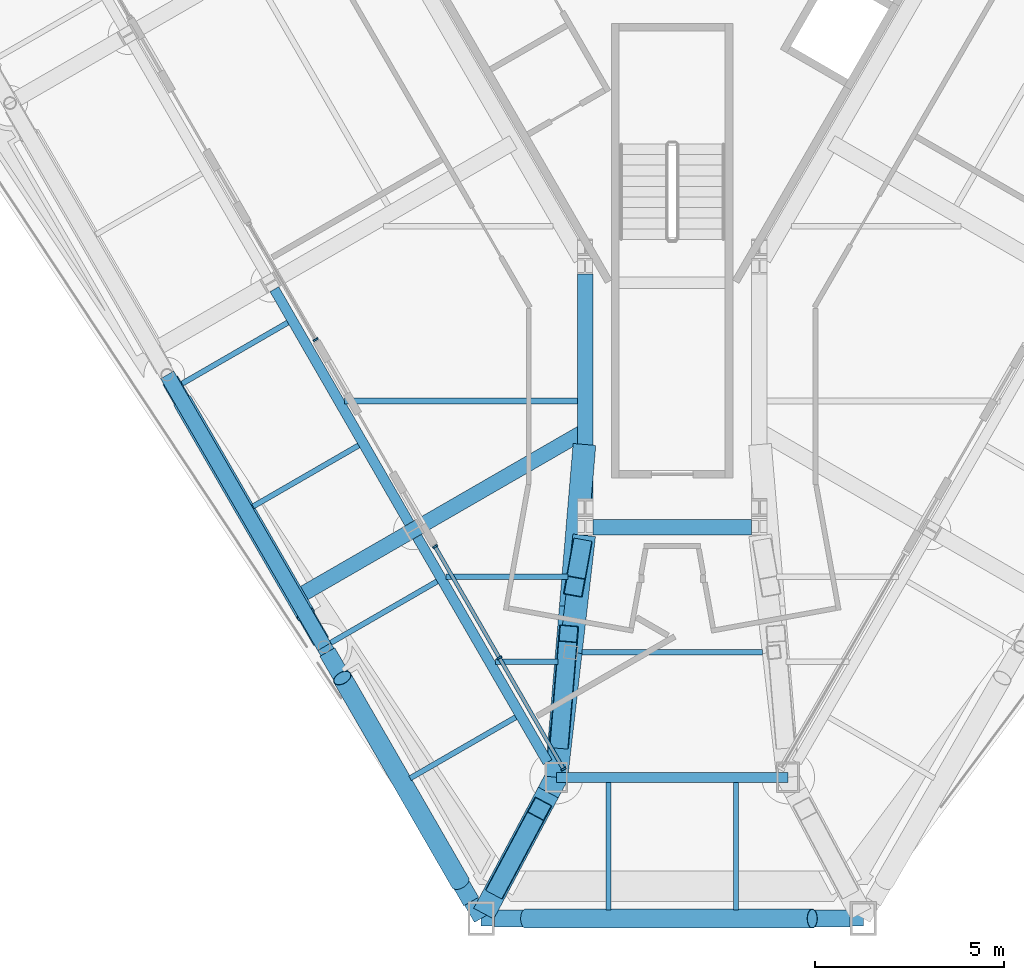
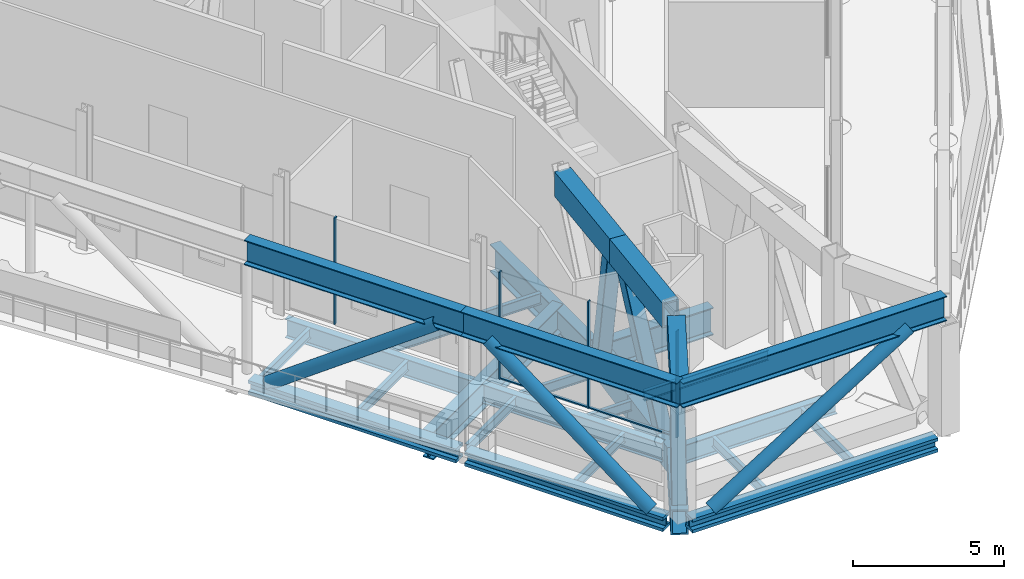
# One storey, part 5 of 25: 28 beams, 12 members, 2 elements without a shape of their own.
"""IFC4 building model written with IfcOpenShell, lengths in metres."""

from ifc_helpers import new_model, si_unit, direction, frame, origin, origin_2d, place, context, subcontext, project, spatial, rectangle, hollow_rectangle, hollow_circle, i_section, extrude, material, material_profile, profile_set, type_object, element, aggregate, save


model = new_model("IFC4")

# Units and contexts
model_context = context("Model", 3, precision=1e-05, world=origin(), true_north=direction((0.0, 1.0)))
body_context = subcontext(model_context, "Body", "Model", "MODEL_VIEW")
ifc_project = project(units=[si_unit("LENGTHUNIT", "METRE"), si_unit("AREAUNIT", "SQUARE_METRE"), si_unit("VOLUMEUNIT", "CUBIC_METRE"), si_unit("PLANEANGLEUNIT", "RADIAN"), si_unit("MASSUNIT", "GRAM", prefix="KILO")], contexts=[model_context])

# Site, building, storey
site_placement = place(None, origin())
site = spatial("IfcSite", under=ifc_project, at=site_placement, CompositionType="ELEMENT")
building_placement = place(site_placement, origin())
building = spatial("IfcBuilding", under=site, at=building_placement, Name="Verrane Prism Tower", CompositionType="ELEMENT")
storey_placement = place(building_placement, frame((0.0, 0.0, 143.199951171875)))
storey = spatial("IfcBuildingStorey", under=building, at=storey_placement, Name="L35", CompositionType="ELEMENT", Elevation=143.199951171875)

# Beams
ifc_material_1 = material(Name="Steel A992", Category="steel")
ifc_material_profile_1 = material_profile(ifc_material_1, i_section(OverallWidth=0.45458984375, OverallDepth=0.56884765625, WebThickness=0.077880859375, FlangeThickness=0.124755859375, FilletRadius=0.01513671875, at=origin_2d()), Name="W14x730")
ifc_profile_set_1 = profile_set([ifc_material_profile_1], Name="Steel A992")
beam_type_1 = type_object("IfcBeamType", Name="Belt truss chord W14x730", PredefinedType="BEAM", material=ifc_profile_set_1)
beam_1_placement = place(storey_placement, frame((-13.2587890625, -17.420654296875, -0.445556640625), z_axis=(0.50043226125, -0.865775693757, 0.0), x_axis=(0.865775693757, 0.50043226125, 0.0)))
element("IfcBeam", 1, at=beam_1_placement, inside=storey, type_object=beam_type_1, Name="Belt truss chord L35", PredefinedType="BEAM", context=body_context, shape_type="SweptSolid", body=[
    extrude(i_section(OverallWidth=0.45458984375, OverallDepth=0.56884765625, WebThickness=0.077880859375, FlangeThickness=0.124755859375, FilletRadius=0.01513671875, at=origin_2d()), origin(), (0.0, 0.0, 1.0), 7.96826171875),
])
beam_2_placement = place(storey_placement, frame((-9.10888671875, -24.600830078125, -0.445556640625), z_axis=(0.49951588352, -0.866304728205, 0.0), x_axis=(0.866304728205, 0.49951588352, 0.0)))
element("IfcBeam", 2, at=beam_2_placement, inside=storey, type_object=beam_type_1, Name="Belt truss chord L35", PredefinedType="BEAM", context=body_context, shape_type="SweptSolid", body=[
    extrude(i_section(OverallWidth=0.45458984375, OverallDepth=0.56884765625, WebThickness=0.077880859375, FlangeThickness=0.124755859375, FilletRadius=0.01513671875, at=origin_2d()), origin(), (0.0, 0.0, 1.0), 7.60595703125),
])
beam_3_placement = place(storey_placement, frame((-4.699951171875, -31.639892578125, -0.445556640625), z_axis=(1.0, 0.0, 0.0), x_axis=(0.0, 1.0, 0.0)))
element("IfcBeam", 3, at=beam_3_placement, inside=storey, type_object=beam_type_1, Name="Belt truss chord L35", PredefinedType="BEAM", context=body_context, shape_type="SweptSolid", body=[
    extrude(i_section(OverallWidth=0.45458984375, OverallDepth=0.56884765625, WebThickness=0.077880859375, FlangeThickness=0.124755859375, FilletRadius=0.01513671875, at=origin_2d()), origin(), (0.0, 0.0, 1.0), 9.39990234375),
])
ifc_material_2 = material(Name="Steel A992", Category="steel")
ifc_material_profile_2 = material_profile(ifc_material_2, i_section(OverallWidth=0.4013671875, OverallDepth=1.000732421875, WebThickness=0.01904296875, FlangeThickness=0.0361328125, FilletRadius=0.030029296875, at=origin_2d()), Name="W40x249")
ifc_profile_set_2 = profile_set([ifc_material_profile_2], Name="Steel A992")
beam_type_2 = type_object("IfcBeamType", Name="Belt truss chord W40x249", PredefinedType="BEAM", material=ifc_profile_set_2)
beam_4_placement = place(storey_placement, frame((-13.340087890625, -17.280029296875, 4.939697265625), z_axis=(0.500435030405, -0.865774093135, 0.0), x_axis=(0.865774093135, 0.500435030405, 0.0)))
element("IfcBeam", 4, at=beam_4_placement, inside=storey, type_object=beam_type_2, Name="Belt truss chord L35", PredefinedType="BEAM", context=body_context, shape_type="SweptSolid", body=[
    extrude(i_section(OverallWidth=0.4013671875, OverallDepth=1.000732421875, WebThickness=0.01904296875, FlangeThickness=0.0361328125, FilletRadius=0.030029296875, at=origin_2d()), origin(), (0.0, 0.0, 1.0), 8.29296875),
])
beam_5_placement = place(storey_placement, frame((-9.18994140625, -24.4599609375, 4.939697265625), z_axis=(0.499507376936, -0.866309633091, 0.0), x_axis=(0.866309633091, 0.499507376936, 0.0)))
element("IfcBeam", 5, at=beam_5_placement, inside=storey, type_object=beam_type_2, Name="Belt truss chord L35", PredefinedType="BEAM", context=body_context, shape_type="SweptSolid", body=[
    extrude(i_section(OverallWidth=0.4013671875, OverallDepth=1.000732421875, WebThickness=0.01904296875, FlangeThickness=0.0361328125, FilletRadius=0.030029296875, at=origin_2d()), origin(), (0.0, 0.0, 1.0), 8.287841796875),
])
beam_6_placement = place(storey_placement, frame((-5.050048828125, -31.639892578125, 4.939697265625), z_axis=(1.0, 0.0, 0.0), x_axis=(0.0, 1.0, 0.0)))
element("IfcBeam", 6, at=beam_6_placement, inside=storey, type_object=beam_type_2, Name="Belt truss chord L35", PredefinedType="BEAM", context=body_context, shape_type="SweptSolid", body=[
    extrude(i_section(OverallWidth=0.4013671875, OverallDepth=1.000732421875, WebThickness=0.01904296875, FlangeThickness=0.0361328125, FilletRadius=0.030029296875, at=origin_2d()), origin(), (0.0, 0.0, 1.0), 10.10009765625),
])

# Members
ifc_material_3 = material(Name="Steel A500 Grade C", Category="steel")
ifc_material_profile_3 = material_profile(ifc_material_3, hollow_circle(Radius=0.25390625, WallThickness=0.0126953125, at=origin_2d()), Name="HSS20.000x0.500")
ifc_profile_set_3 = profile_set([ifc_material_profile_3], Name="Steel A500 Grade C")
member_type_1 = type_object("IfcMemberType", Name="Belt truss diagonal HSS20.000x0.500", PredefinedType="BRACE", material=ifc_profile_set_3)
member_1_placement = place(storey_placement, frame((-3.868896484375, -31.639892578125, -0.160888671875), z_axis=(0.848987794326, 0.0, 0.528412457353), x_axis=(0.0, 1.0, 0.0)))
element("IfcMember", 7, at=member_1_placement, inside=storey, type_object=member_type_1, Name="Belt truss diagonal L35", PredefinedType="BRACE", context=body_context, shape_type="SweptSolid", body=[
    extrude(hollow_circle(Radius=0.25390625, WallThickness=0.0126953125, at=origin_2d()), origin(), (0.0, 0.0, 1.0), 8.913330078125),
])
member_2_placement = place(storey_placement, frame((-12.92529296875, -17.997314453125, -0.160888671875), z_axis=(0.404989270182, -0.700708769601, 0.587359269309), x_axis=(0.865792640311, 0.500402941621, 0.0)))
element("IfcMember", 8, at=member_2_placement, inside=storey, type_object=member_type_1, Name="Belt truss diagonal L35", PredefinedType="BRACE", context=body_context, shape_type="SweptSolid", body=[
    extrude(hollow_circle(Radius=0.25390625, WallThickness=0.0126953125, at=origin_2d()), origin(), (0.0, 0.0, 1.0), 8.018798828125),
])
member_3_placement = place(storey_placement, frame((-5.599609375, -30.6865234375, -0.160888671875), z_axis=(-0.398552898475, 0.69121040119, 0.602813211869), x_axis=(-0.866306176798, -0.499513371234, 0.0)))
element("IfcMember", 9, at=member_3_placement, inside=storey, type_object=member_type_1, Name="Belt truss diagonal L35", PredefinedType="BRACE", context=body_context, shape_type="SweptSolid", body=[
    extrude(hollow_circle(Radius=0.25390625, WallThickness=0.0126953125, at=origin_2d()), origin(), (0.0, 0.0, 1.0), 7.813232421875),
])

# Beams
ifc_material_4 = material(Name="Steel A992", Category="steel")
ifc_material_profile_4 = material_profile(ifc_material_4, i_section(OverallWidth=0.2666015625, OverallDepth=0.76708984375, WebThickness=0.014892578125, FlangeThickness=0.023681640625, FilletRadius=0.0166015625, at=origin_2d()), Name="W30x124")
ifc_profile_set_4 = profile_set([ifc_material_profile_4], Name="Steel A992")
beam_type_3 = type_object("IfcBeamType", Name="Chamfer spandrel beam W30x124", PredefinedType="SPANDREL", material=ifc_profile_set_4)
beam_7_placement = place(storey_placement, frame((-3.06005859375, -27.909912109375, -0.54345703125), z_axis=(1.0, 0.0, 0.0), x_axis=(0.0, 1.0, 0.0)))
element("IfcBeam", 10, at=beam_7_placement, inside=storey, type_object=beam_type_3, Name="Chamfer spandrel beam L35", PredefinedType="SPANDREL", context=body_context, shape_type="SweptSolid", body=[
    extrude(i_section(OverallWidth=0.2666015625, OverallDepth=0.76708984375, WebThickness=0.014892578125, FlangeThickness=0.023681640625, FilletRadius=0.0166015625, at=origin_2d()), origin(), (0.0, 0.0, 1.0), 6.1201171875),
])
ifc_material_5 = material(Name="Steel A992", Category="steel")
ifc_material_profile_5 = material_profile(ifc_material_5, i_section(OverallWidth=0.140380859375, OverallDepth=0.40380859375, WebThickness=0.007080078125, FlangeThickness=0.01123046875, FilletRadius=0.01025390625, at=origin_2d()), Name="W16x31")
ifc_profile_set_5 = profile_set([ifc_material_profile_5], Name="Steel A992")
beam_type_4 = type_object("IfcBeamType", Name="Floor beam W16x31", PredefinedType="BEAM", material=ifc_profile_set_5)
beam_8_placement = place(storey_placement, frame((-6.924072265625, -27.9345703125, -0.36181640625), z_axis=(0.866020340389, 0.500008769956, 0.0), x_axis=(-0.500008769956, 0.866020340389, 0.0)))
element("IfcBeam", 11, at=beam_8_placement, inside=storey, type_object=beam_type_4, Name="Floor beam L35", PredefinedType="BEAM", context=body_context, shape_type="SweptSolid", body=[
    extrude(i_section(OverallWidth=0.140380859375, OverallDepth=0.40380859375, WebThickness=0.007080078125, FlangeThickness=0.01123046875, FilletRadius=0.01025390625, at=origin_2d()), origin(), (0.0, 0.0, 1.0), 3.22314453125),
])
beam_9_placement = place(storey_placement, frame((-9.018310546875, -24.356201171875, -0.36181640625), z_axis=(0.866033884568, 0.499985310564, 0.0), x_axis=(-0.499985310564, 0.866033884568, 0.0)))
element("IfcBeam", 12, at=beam_9_placement, inside=storey, type_object=beam_type_4, Name="Floor beam L35", PredefinedType="BEAM", context=body_context, shape_type="SweptSolid", body=[
    extrude(i_section(OverallWidth=0.140380859375, OverallDepth=0.40380859375, WebThickness=0.007080078125, FlangeThickness=0.01123046875, FilletRadius=0.01025390625, at=origin_2d()), origin(), (0.0, 0.0, 1.0), 3.24267578125),
])
beam_10_placement = place(storey_placement, frame((-11.069580078125, -20.75341796875, -0.36181640625), z_axis=(0.865988473761, 0.500063959222, 0.0), x_axis=(-0.500063959222, 0.865988473761, 0.0)))
element("IfcBeam", 13, at=beam_10_placement, inside=storey, type_object=beam_type_4, Name="Floor beam L35", PredefinedType="BEAM", context=body_context, shape_type="SweptSolid", body=[
    extrude(i_section(OverallWidth=0.140380859375, OverallDepth=0.40380859375, WebThickness=0.007080078125, FlangeThickness=0.01123046875, FilletRadius=0.01025390625, at=origin_2d()), origin(), (0.0, 0.0, 1.0), 3.2177734375),
])
beam_11_placement = place(storey_placement, frame((-12.9443359375, -17.510009765625, -0.36181640625), z_axis=(0.866029130051, 0.499993545862, 0.0), x_axis=(-0.499993545862, 0.866029130051, 0.0)))
element("IfcBeam", 14, at=beam_11_placement, inside=storey, type_object=beam_type_4, Name="Floor beam L35", PredefinedType="BEAM", context=body_context, shape_type="SweptSolid", body=[
    extrude(i_section(OverallWidth=0.140380859375, OverallDepth=0.40380859375, WebThickness=0.007080078125, FlangeThickness=0.01123046875, FilletRadius=0.01025390625, at=origin_2d()), origin(), (0.0, 0.0, 1.0), 3.22216796875),
])
beam_12_placement = place(storey_placement, frame((-4.67138671875, -24.860107421875, -0.36181640625), z_axis=(1.0, 0.0, 0.0), x_axis=(0.0, 1.0, 0.0)))
element("IfcBeam", 15, at=beam_12_placement, inside=storey, type_object=beam_type_4, Name="Floor beam L35", PredefinedType="BEAM", context=body_context, shape_type="SweptSolid", body=[
    extrude(i_section(OverallWidth=0.140380859375, OverallDepth=0.40380859375, WebThickness=0.007080078125, FlangeThickness=0.01123046875, FilletRadius=0.01025390625, at=origin_2d()), origin(), (0.0, 0.0, 1.0), 1.66015625),
])
beam_13_placement = place(storey_placement, frame((-5.9736328125, -22.610107421875, -0.36181640625), z_axis=(1.0, 0.0, 0.0), x_axis=(0.0, 1.0, 0.0)))
element("IfcBeam", 16, at=beam_13_placement, inside=storey, type_object=beam_type_4, Name="Floor beam L35", PredefinedType="BEAM", context=body_context, shape_type="SweptSolid", body=[
    extrude(i_section(OverallWidth=0.140380859375, OverallDepth=0.40380859375, WebThickness=0.007080078125, FlangeThickness=0.01123046875, FilletRadius=0.01025390625, at=origin_2d()), origin(), (0.0, 0.0, 1.0), 3.220947265625),
])
for number, where, z_axis, x_axis, name in (
    (17, (1.683349609375, -31.41259765625, -0.36181640625), (0.0, 1.0, 0.0), (-1.0, 0.0, 0.0), "Floor beam L35"),
    (18, (-1.683349609375, -31.41259765625, -0.36181640625), (0.0, 1.0, 0.0), (-1.0, 0.0, 0.0), "Floor beam L35"),
):
    element("IfcBeam", number, at=place(storey_placement, frame(where, z_axis=z_axis, x_axis=x_axis)), inside=storey, type_object=beam_type_4, Name=name, PredefinedType="BEAM", context=body_context, shape_type="SweptSolid", body=[
        extrude(i_section(OverallWidth=0.140380859375, OverallDepth=0.40380859375, WebThickness=0.007080078125, FlangeThickness=0.01123046875, FilletRadius=0.01025390625, at=origin_2d()), origin(), (0.0, 0.0, 1.0), 3.369140625),
    ])
beam_14_placement = place(storey_placement, frame((-2.3779296875, -24.60498046875, -0.36181640625), z_axis=(1.0, 0.0, 0.0), x_axis=(0.0, 1.0, 0.0)))
element("IfcBeam", 19, at=beam_14_placement, inside=storey, type_object=beam_type_4, Name="Floor beam L35", PredefinedType="BEAM", context=body_context, shape_type="SweptSolid", body=[
    extrude(i_section(OverallWidth=0.140380859375, OverallDepth=0.40380859375, WebThickness=0.007080078125, FlangeThickness=0.01123046875, FilletRadius=0.01025390625, at=origin_2d()), origin(), (0.0, 0.0, 1.0), 4.755859375),
])
ifc_material_6 = material(Name="Steel A992", Category="steel")
ifc_material_profile_6 = material_profile(ifc_material_6, i_section(OverallWidth=0.15234375, OverallDepth=0.449462890625, WebThickness=0.007568359375, FlangeThickness=0.0107421875, FilletRadius=0.01025390625, at=origin_2d()), Name="W18x35")
ifc_profile_set_6 = profile_set([ifc_material_profile_6], Name="Steel A992")
beam_type_5 = type_object("IfcBeamType", Name="Floor beam W18x35", PredefinedType="BEAM", material=ifc_profile_set_6)
beam_15_placement = place(storey_placement, frame((-8.653564453125, -17.966796875, -0.384765625), z_axis=(1.0, 0.0, 0.0), x_axis=(0.0, 1.0, 0.0)))
element("IfcBeam", 20, at=beam_15_placement, inside=storey, type_object=beam_type_5, Name="Floor beam L35", PredefinedType="BEAM", context=body_context, shape_type="SweptSolid", body=[
    extrude(i_section(OverallWidth=0.15234375, OverallDepth=0.449462890625, WebThickness=0.007568359375, FlangeThickness=0.0107421875, FilletRadius=0.01025390625, at=origin_2d()), origin(), (0.0, 0.0, 1.0), 6.151611328125),
])

# Curtain wall, member
ifc_material_7 = material(Name="Aluminium framed insulated glazing", Category="aluminium")
curtain_wall_type = type_object("IfcCurtainWallType", Name="Curtain wall CW-C 4200 module", PredefinedType="NOTDEFINED", material=ifc_material_7)
curtain_wall_1_placement = place(storey_placement, origin())
curtain_wall_1 = element("IfcCurtainWall", 21, at=curtain_wall_1_placement, inside=storey, type_object=curtain_wall_type, Name="Refuge lounge glazing south-west face L35 3", PredefinedType="NOTDEFINED")
ifc_material_8 = material(Name="Aluminium alloy 6063-T6", Category="aluminium")
ifc_material_profile_7 = material_profile(ifc_material_8, rectangle(XDim=0.139892578125, YDim=0.050048828125, at=origin_2d()), Name="Mullion 50x140 aluminium")
ifc_profile_set_7 = profile_set([ifc_material_profile_7], Name="Aluminium alloy 6063-T6")
member_type_2 = type_object("IfcMemberType", Name="Mullion 50x140 aluminium", PredefinedType="MULLION", material=ifc_profile_set_7)
member_4_placement = place(storey_placement, frame((-9.41845703125, -16.3486328125, 0.0), z_axis=(0.0, 0.0, 1.0), x_axis=(0.86603091481, 0.499990454503, 0.0)))
member_4 = element("IfcMember", 22, at=member_4_placement, type_object=member_type_2, Name="CW35.4.3 mullion 2", PredefinedType="MULLION", context=body_context, shape_type="SweptSolid", body=[
    extrude(rectangle(XDim=0.139892578125, YDim=0.050048828125, at=origin_2d()), origin(), (0.0, 0.0, 1.0), 4.322509765625),
])
aggregate(curtain_wall_1, [member_4])

# Curtain wall, members
curtain_wall_2_placement = place(storey_placement, origin())
curtain_wall_2 = element("IfcCurtainWall", 23, at=curtain_wall_2_placement, inside=storey, type_object=curtain_wall_type, Name="Refuge lounge glazing south-west face L35 4", PredefinedType="NOTDEFINED")
member_5_placement = place(storey_placement, frame((-6.263427734375, -21.813232421875, 0.0), z_axis=(0.0, 0.0, 1.0), x_axis=(0.866027244743, 0.499996811352, 0.0)))
member_5 = element("IfcMember", 24, at=member_5_placement, type_object=member_type_2, Name="CW35.4.4 mullion 1", PredefinedType="MULLION", context=body_context, shape_type="SweptSolid", body=[
    extrude(rectangle(XDim=0.139892578125, YDim=0.050048828125, at=origin_2d()), origin(), (0.0, 0.0, 1.0), 4.322509765625),
])
member_6_placement = place(storey_placement, frame((-4.56689453125, -24.751708984375, 0.0), z_axis=(0.0, 0.0, 1.0), x_axis=(0.866027244743, 0.499996811352, 0.0)))
member_6 = element("IfcMember", 25, at=member_6_placement, type_object=member_type_2, Name="CW35.4.4 mullion 2", PredefinedType="MULLION", context=body_context, shape_type="SweptSolid", body=[
    extrude(rectangle(XDim=0.139892578125, YDim=0.050048828125, at=origin_2d()), origin(), (0.0, 0.0, 1.0), 4.322509765625),
])
member_7_placement = place(storey_placement, frame((-2.870361328125, -27.690185546875, 0.0), z_axis=(0.0, 0.0, 1.0), x_axis=(0.866027244743, 0.499996811352, 0.0)))
member_7 = element("IfcMember", 26, at=member_7_placement, type_object=member_type_2, Name="CW35.4.4 mullion 3", PredefinedType="MULLION", context=body_context, shape_type="SweptSolid", body=[
    extrude(rectangle(XDim=0.139892578125, YDim=0.050048828125, at=origin_2d()), origin(), (0.0, 0.0, 1.0), 4.322509765625),
])

# Beams
ifc_material_9 = material(Name="Steel A572 Grade 50", Category="steel")
ifc_material_profile_8 = material_profile(ifc_material_9, hollow_rectangle(XDim=0.60009765625, YDim=1.0, WallThickness=0.06005859375, at=origin_2d()), Name="BOX 1000x600x60")
ifc_profile_set_8 = profile_set([ifc_material_profile_8], Name="Steel A572 Grade 50")
beam_type_6 = type_object("IfcBeamType", Name="Outrigger truss chord BOX 1000x600x60", PredefinedType="BEAM", material=ifc_profile_set_8)
beam_16_placement = place(storey_placement, frame((-4.809814453125, -31.18994140625, -0.659912109375), z_axis=(0.470673448035, 0.882307489096, 0.0), x_axis=(-0.882307489096, 0.470673448035, 0.0)))
element("IfcBeam", 27, at=beam_16_placement, inside=storey, type_object=beam_type_6, Name="Outrigger truss chord L35", PredefinedType="BEAM", context=body_context, shape_type="SweptSolid", body=[
    extrude(hollow_rectangle(XDim=0.60009765625, YDim=1.0, WallThickness=0.06005859375, at=origin_2d()), origin(), (0.0, 0.0, 1.0), 3.717529296875),
])
beam_17_placement = place(storey_placement, frame((-3.06005859375, -27.909912109375, -0.659912109375), z_axis=(0.11426476822, 0.993450332298, 0.0), x_axis=(-0.993450332298, 0.11426476822, 0.0)))
element("IfcBeam", 28, at=beam_17_placement, inside=storey, type_object=beam_type_6, Name="Outrigger truss chord L35", PredefinedType="BEAM", context=body_context, shape_type="SweptSolid", body=[
    extrude(hollow_rectangle(XDim=0.60009765625, YDim=1.0, WallThickness=0.06005859375, at=origin_2d()), origin(), (0.0, 0.0, 1.0), 3.32666015625),
])
beam_18_placement = place(storey_placement, frame((-2.679931640625, -24.60498046875, -0.659912109375), z_axis=(0.114206711719, 0.993457008128, 0.0), x_axis=(-0.993457008128, 0.114206711719, 0.0)))
element("IfcBeam", 29, at=beam_18_placement, inside=storey, type_object=beam_type_6, Name="Outrigger truss chord L35", PredefinedType="BEAM", context=body_context, shape_type="SweptSolid", body=[
    extrude(hollow_rectangle(XDim=0.60009765625, YDim=1.0, WallThickness=0.06005859375, at=origin_2d()), origin(), (0.0, 0.0, 1.0), 3.108154296875),
])
beam_19_placement = place(storey_placement, frame((-4.9794921875, -31.5078125, 4.93994140625), z_axis=(0.470714094128, 0.882285804935, 0.0), x_axis=(-0.882285804935, 0.470714094128, 0.0)))
element("IfcBeam", 30, at=beam_19_placement, inside=storey, type_object=beam_type_6, Name="Outrigger truss chord L35", PredefinedType="BEAM", context=body_context, shape_type="SweptSolid", body=[
    extrude(hollow_rectangle(XDim=0.60009765625, YDim=1.0, WallThickness=0.06005859375, at=origin_2d()), origin(), (0.0, 0.0, 1.0), 3.62451171875),
])
beam_20_placement = place(storey_placement, frame((-3.0263671875, -27.510009765625, 4.93994140625), z_axis=(0.084095012133, 0.996457740667, 0.0), x_axis=(-0.996457740667, 0.084095012133, 0.0)))
element("IfcBeam", 31, at=beam_20_placement, inside=storey, type_object=beam_type_6, Name="Outrigger truss chord L35", PredefinedType="BEAM", context=body_context, shape_type="SweptSolid", body=[
    extrude(hollow_rectangle(XDim=0.60009765625, YDim=1.0, WallThickness=0.06005859375, at=origin_2d()), origin(), (0.0, 0.0, 1.0), 4.11962890625),
])
beam_21_placement = place(storey_placement, frame((-2.679931640625, -23.405029296875, 4.93994140625), z_axis=(0.084026785736, 0.99646349621, 0.0), x_axis=(-0.99646349621, 0.084026785736, 0.0)))
element("IfcBeam", 32, at=beam_21_placement, inside=storey, type_object=beam_type_6, Name="Outrigger truss chord L35", PredefinedType="BEAM", context=body_context, shape_type="SweptSolid", body=[
    extrude(hollow_rectangle(XDim=0.60009765625, YDim=1.0, WallThickness=0.06005859375, at=origin_2d()), origin(), (0.0, 0.0, 1.0), 4.302978515625),
])

# Members
ifc_material_10 = material(Name="Steel A500 Grade C", Category="steel")
ifc_material_profile_9 = material_profile(ifc_material_10, hollow_rectangle(XDim=0.508056640625, YDim=0.508056640625, WallThickness=0.01904296875, InnerFilletRadius=0.009521484375, OuterFilletRadius=0.028564453125, at=origin_2d()), Name="HSS20x20x3/4")
ifc_profile_set_9 = profile_set([ifc_material_profile_9], Name="Steel A500 Grade C")
member_type_3 = type_object("IfcMemberType", Name="Outrigger truss diagonal HSS20x20x3/4", PredefinedType="BRACE", material=ifc_profile_set_9)
member_8_placement = place(storey_placement, frame((-4.6064453125, -30.80859375, -0.219970703125), z_axis=(0.20927781251, 0.39228586197, 0.895720157018), x_axis=(-0.882298128759, 0.470690994166, 0.0)))
element("IfcMember", 33, at=member_8_placement, inside=storey, type_object=member_type_3, Name="Outrigger truss diagonal L35", PredefinedType="BRACE", context=body_context, shape_type="SweptSolid", body=[
    extrude(hollow_rectangle(XDim=0.508056640625, YDim=0.508056640625, WallThickness=0.01904296875, InnerFilletRadius=0.009521484375, OuterFilletRadius=0.028564453125, at=origin_2d()), origin(), (0.0, 0.0, 1.0), 5.26953125),
])
member_9_placement = place(storey_placement, frame((-2.97705078125, -26.9267578125, -0.219970703125), z_axis=(0.043117594969, 0.511016769216, 0.858488633928), x_axis=(-0.996459232764, 0.084077330119, 0.0)))
element("IfcMember", 34, at=member_9_placement, inside=storey, type_object=member_type_3, Name="Outrigger truss diagonal L35", PredefinedType="BRACE", context=body_context, shape_type="SweptSolid", body=[
    extrude(hollow_rectangle(XDim=0.508056640625, YDim=0.508056640625, WallThickness=0.01904296875, InnerFilletRadius=0.009521484375, OuterFilletRadius=0.028564453125, at=origin_2d()), origin(), (0.0, 0.0, 1.0), 5.498046875),
])
member_10_placement = place(storey_placement, frame((-2.404052734375, -21.875732421875, -0.219970703125), z_axis=(-0.037078020775, -0.205573091989, 0.97793912092), x_axis=(0.98412077701, -0.177500130302, 0.0)))
element("IfcMember", 35, at=member_10_placement, inside=storey, type_object=member_type_3, Name="Outrigger truss diagonal L35", PredefinedType="BRACE", context=body_context, shape_type="SweptSolid", body=[
    extrude(hollow_rectangle(XDim=0.508056640625, YDim=0.508056640625, WallThickness=0.01904296875, InnerFilletRadius=0.009521484375, OuterFilletRadius=0.028564453125, at=origin_2d()), origin(), (0.0, 0.0, 1.0), 4.826416015625),
])

# Beams
ifc_material_11 = material(Name="Steel A992", Category="steel")
ifc_material_profile_10 = material_profile(ifc_material_11, i_section(OverallWidth=0.2666015625, OverallDepth=0.7568359375, WebThickness=0.013916015625, FlangeThickness=0.019287109375, FilletRadius=0.0166015625, at=origin_2d()), Name="W30x108")
ifc_profile_set_10 = profile_set([ifc_material_profile_10], Name="Steel A992")
beam_type_7 = type_object("IfcBeamType", Name="Spandrel beam W30x108", PredefinedType="SPANDREL", material=ifc_profile_set_10)
beam_22_placement = place(storey_placement, frame((-10.50732421875, -15.018310546875, -0.538330078125), z_axis=(0.499432230493, -0.866352957601, 0.0), x_axis=(0.866352957601, 0.499432230493, 0.0)))
element("IfcBeam", 36, at=beam_22_placement, inside=storey, type_object=beam_type_7, Name="Spandrel beam L35", PredefinedType="SPANDREL", context=body_context, shape_type="SweptSolid", body=[
    extrude(i_section(OverallWidth=0.2666015625, OverallDepth=0.7568359375, WebThickness=0.013916015625, FlangeThickness=0.019287109375, FilletRadius=0.0166015625, at=origin_2d()), origin(), (0.0, 0.0, 1.0), 7.137451171875),
])
beam_23_placement = place(storey_placement, frame((-6.73681640625, -21.55810546875, -0.538330078125), z_axis=(0.500978894628, -0.865459500576, 0.0), x_axis=(0.865459500576, 0.500978894628, 0.0)))
element("IfcBeam", 37, at=beam_23_placement, inside=storey, type_object=beam_type_7, Name="Spandrel beam L35", PredefinedType="SPANDREL", context=body_context, shape_type="SweptSolid", body=[
    extrude(i_section(OverallWidth=0.2666015625, OverallDepth=0.7568359375, WebThickness=0.013916015625, FlangeThickness=0.019287109375, FilletRadius=0.0166015625, at=origin_2d()), origin(), (0.0, 0.0, 1.0), 6.877197265625),
])
ifc_material_12 = material(Name="Steel A992", Category="steel")
ifc_material_profile_11 = material_profile(ifc_material_12, i_section(OverallWidth=0.40380859375, OverallDepth=1.11767578125, WebThickness=0.026123046875, FlangeThickness=0.044921875, FilletRadius=0.02001953125, at=origin_2d()), Name="W44x335")
ifc_profile_set_11 = profile_set([ifc_material_profile_11], Name="Steel A992")
beam_type_8 = type_object("IfcBeamType", Name="Transfer girder W44x335", PredefinedType="BEAM", material=ifc_profile_set_11)
beam_24_placement = place(storey_placement, frame((-2.300048828125, -14.619384765625, -0.808837890625), z_axis=(0.0, -1.0, 0.0), x_axis=(1.0, 0.0, 0.0)))
element("IfcBeam", 38, at=beam_24_placement, inside=storey, type_object=beam_type_8, Name="Transfer girder L35", PredefinedType="BEAM", context=body_context, shape_type="SweptSolid", body=[
    extrude(i_section(OverallWidth=0.40380859375, OverallDepth=1.11767578125, WebThickness=0.026123046875, FlangeThickness=0.044921875, FilletRadius=0.02001953125, at=origin_2d()), origin(), (0.0, 0.0, 1.0), 6.46337890625),
])
beam_25_placement = place(storey_placement, frame((-2.09423828125, -21.300048828125, -0.808837890625), z_axis=(1.0, 0.0, 0.0), x_axis=(0.0, 1.0, 0.0)))
element("IfcBeam", 39, at=beam_25_placement, inside=storey, type_object=beam_type_8, Name="Transfer girder L35", PredefinedType="BEAM", context=body_context, shape_type="SweptSolid", body=[
    extrude(i_section(OverallWidth=0.40380859375, OverallDepth=1.11767578125, WebThickness=0.026123046875, FlangeThickness=0.044921875, FilletRadius=0.02001953125, at=origin_2d()), origin(), (0.0, 0.0, 1.0), 4.1884765625),
])
beam_26_placement = place(storey_placement, frame((-9.740478515625, -23.054443359375, -0.71875), z_axis=(0.866029425019, 0.499993034952, 0.0), x_axis=(-0.499993034952, 0.866029425019, 0.0)))
element("IfcBeam", 40, at=beam_26_placement, inside=storey, type_object=beam_type_8, Name="Transfer girder L35", PredefinedType="BEAM", context=body_context, shape_type="SweptSolid", body=[
    extrude(i_section(OverallWidth=0.40380859375, OverallDepth=1.11767578125, WebThickness=0.026123046875, FlangeThickness=0.044921875, FilletRadius=0.02001953125, at=origin_2d()), origin(), (0.0, 0.0, 1.0), 8.59130859375),
])

# Member
ifc_material_13 = material(Name="Aluminium alloy 6063-T6", Category="aluminium")
ifc_material_profile_12 = material_profile(ifc_material_13, rectangle(XDim=0.10009765625, YDim=0.050048828125, at=origin_2d()), Name="Transom 50x100 aluminium")
ifc_profile_set_12 = profile_set([ifc_material_profile_12], Name="Aluminium alloy 6063-T6")
member_type_4 = type_object("IfcMemberType", Name="Transom 50x100 aluminium", PredefinedType="USERDEFINED", material=ifc_profile_set_12)
member_11_placement = place(storey_placement, frame((-6.2509765625, -21.8349609375, 0.025146484375), z_axis=(0.50001112685, -0.866018979599, 0.0), x_axis=(0.866018979599, 0.50001112685, 0.0)))
member_11 = element("IfcMember", 41, at=member_11_placement, type_object=member_type_4, Name="CW35.4.4 transom 1", ObjectType="TRANSOM", PredefinedType="USERDEFINED", context=body_context, shape_type="SweptSolid", body=[
    extrude(rectangle(XDim=0.10009765625, YDim=0.050048828125, at=origin_2d()), origin(), (0.0, 0.0, 1.0), 3.34326171875),
])

member_12_placement = place(storey_placement, frame((-4.554443359375, -24.7734375, 0.025146484375), z_axis=(0.50001112685, -0.866018979599, 0.0), x_axis=(0.866018979599, 0.50001112685, 0.0)))
member_12 = element("IfcMember", 42, at=member_12_placement, type_object=member_type_4, Name="CW35.4.4 transom 2", ObjectType="TRANSOM", PredefinedType="USERDEFINED", context=body_context, shape_type="SweptSolid", body=[
    extrude(rectangle(XDim=0.10009765625, YDim=0.050048828125, at=origin_2d()), origin(), (0.0, 0.0, 1.0), 3.34326171875),
])

aggregate(curtain_wall_2, [member_5, member_6, member_7, member_11, member_12])

save(model, "model.ifc")
